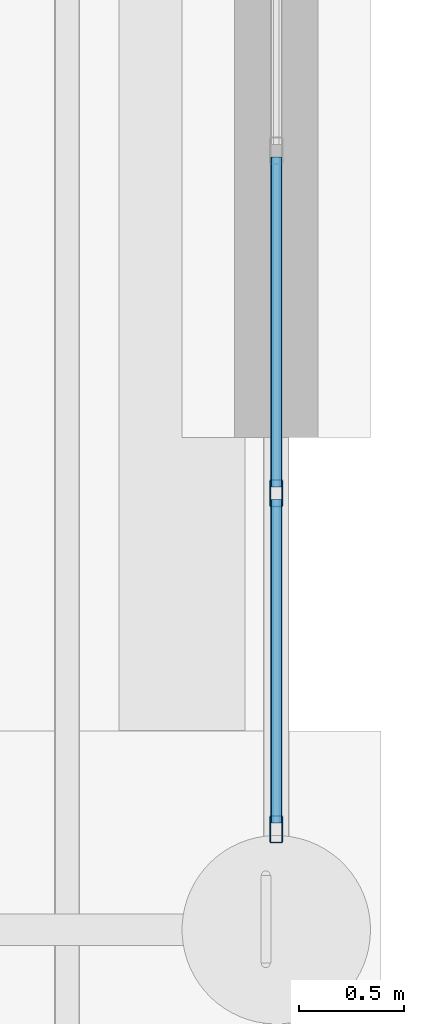
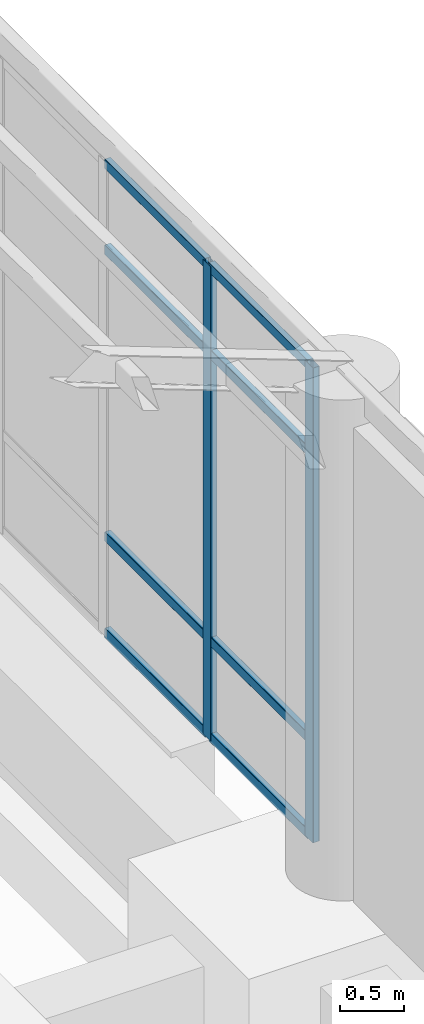
# One storey, part 70 of 111: 10 members, 1 element without a shape of its own.
"""IFC4 building model written with IfcOpenShell, lengths in metres."""

from ifc_helpers import new_model, si_unit, direction, frame, origin, origin_2d, place, context, subcontext, project, spatial, hollow_rectangle, extrude, material, material_profile, profile_set, type_object, element, aggregate, save


model = new_model("IFC4")

# Units and contexts
model_context = context("Model", 3, precision=1e-05, world=origin(), true_north=direction((0.0, 1.0)))
body_context = subcontext(model_context, "Body", "Model", "MODEL_VIEW")
ifc_project = project(units=[si_unit("LENGTHUNIT", "METRE"), si_unit("AREAUNIT", "SQUARE_METRE"), si_unit("VOLUMEUNIT", "CUBIC_METRE"), si_unit("PLANEANGLEUNIT", "RADIAN"), si_unit("MASSUNIT", "GRAM", prefix="KILO")], contexts=[model_context])

# Site, building, storey
site_placement = place(None, origin())
site = spatial("IfcSite", under=ifc_project, at=site_placement, CompositionType="ELEMENT")
building_placement = place(site_placement, origin())
building = spatial("IfcBuilding", under=site, at=building_placement, Name="Canglan Escarpment Cableway Terminal", CompositionType="ELEMENT")
storey_placement = place(building_placement, frame((0.0, 0.0, 4.800048828125)))
storey = spatial("IfcBuildingStorey", under=building, at=storey_placement, Name="L01", CompositionType="ELEMENT", Elevation=4.800048828125)

# Curtain wall, members
ifc_material_1 = material(Name="Anodized bronze aluminium and Low-E double glazing", Category="aluminium")
curtain_wall_type = type_object("IfcCurtainWallType", Name="CW-BAY-8175x4550", PredefinedType="NOTDEFINED", material=ifc_material_1)
curtain_wall_placement = place(storey_placement, origin())
curtain_wall = element("IfcCurtainWall", 1, at=curtain_wall_placement, inside=storey, type_object=curtain_wall_type, Name="Classical bay-between-piers glazed curtain wall CW-41", PredefinedType="NOTDEFINED")
ifc_material_2 = material(Name="Thermally broken anodized aluminium 6063-T6", Category="aluminium")
ifc_material_profile_1 = material_profile(ifc_material_2, hollow_rectangle(XDim=0.06005859375, YDim=0.1298828125, WallThickness=0.0029296875, InnerFilletRadius=0.0029296875, OuterFilletRadius=0.006103515625, at=origin_2d()), Name="ALU-MULL 60x130x3")
ifc_profile_set_1 = profile_set([ifc_material_profile_1], Name="Thermally broken anodized aluminium 6063-T6")
member_type_1 = type_object("IfcMemberType", Name="CWM-01", PredefinedType="MULLION", material=ifc_profile_set_1)
member_1_placement = place(storey_placement, frame((180.0, 115.47998046875, 0.0), z_axis=(0.0, 0.0, 1.0), x_axis=(-1.0, 0.0, 0.0)))
member_1 = element("IfcMember", 2, at=member_1_placement, type_object=member_type_1, Name="CW-41 mullion 1", PredefinedType="MULLION", context=body_context, shape_type="SweptSolid", body=[
    extrude(hollow_rectangle(XDim=0.06005859375, YDim=0.1298828125, WallThickness=0.0029296875, InnerFilletRadius=0.0029296875, OuterFilletRadius=0.006103515625, at=origin_2d()), origin(), (0.0, 0.0, 1.0), 4.550048828125),
])
member_2_placement = place(storey_placement, frame((180.0, 117.0849609375, 0.0), z_axis=(0.0, 0.0, 1.0), x_axis=(-1.0, 0.0, 0.0)))
member_2 = element("IfcMember", 3, at=member_2_placement, type_object=member_type_1, Name="CW-41 mullion 2", PredefinedType="MULLION", context=body_context, shape_type="SweptSolid", body=[
    extrude(hollow_rectangle(XDim=0.06005859375, YDim=0.1298828125, WallThickness=0.0029296875, InnerFilletRadius=0.0029296875, OuterFilletRadius=0.006103515625, at=origin_2d()), origin(), (0.0, 0.0, 1.0), 4.550048828125),
])
ifc_material_profile_2 = material_profile(ifc_material_2, hollow_rectangle(XDim=0.054931640625, YDim=0.094970703125, WallThickness=0.0029296875, InnerFilletRadius=0.0029296875, OuterFilletRadius=0.006103515625, at=origin_2d()), Name="ALU-TRAN 55x95x3")
ifc_profile_set_2 = profile_set([ifc_material_profile_2], Name="Thermally broken anodized aluminium 6063-T6")
member_type_2 = type_object("IfcMemberType", Name="CWT-01", PredefinedType="USERDEFINED", material=ifc_profile_set_2)
member_3_placement = place(storey_placement, frame((180.0, 115.510009765625, 0.02734375), z_axis=(0.0, 1.0, 0.0), x_axis=(-1.0, 0.0, 0.0)))
member_3 = element("IfcMember", 4, at=member_3_placement, type_object=member_type_2, Name="CW-41 transom 1.1", ObjectType="TRANSOM", PredefinedType="USERDEFINED", context=body_context, shape_type="SweptSolid", body=[
    extrude(hollow_rectangle(XDim=0.054931640625, YDim=0.094970703125, WallThickness=0.0029296875, InnerFilletRadius=0.0029296875, OuterFilletRadius=0.006103515625, at=origin_2d()), origin(), (0.0, 0.0, 1.0), 1.544921875),
])
member_4_placement = place(storey_placement, frame((180.0, 115.510009765625, 0.949951171875), z_axis=(0.0, 1.0, 0.0), x_axis=(-1.0, 0.0, 0.0)))
member_4 = element("IfcMember", 5, at=member_4_placement, type_object=member_type_2, Name="CW-41 transom 1.2", ObjectType="TRANSOM", PredefinedType="USERDEFINED", context=body_context, shape_type="SweptSolid", body=[
    extrude(hollow_rectangle(XDim=0.054931640625, YDim=0.094970703125, WallThickness=0.0029296875, InnerFilletRadius=0.0029296875, OuterFilletRadius=0.006103515625, at=origin_2d()), origin(), (0.0, 0.0, 1.0), 1.544921875),
])
member_5_placement = place(storey_placement, frame((180.0, 115.510009765625, 3.699951171875), z_axis=(0.0, 1.0, 0.0), x_axis=(-1.0, 0.0, 0.0)))
member_5 = element("IfcMember", 6, at=member_5_placement, type_object=member_type_2, Name="CW-41 transom 1.3", ObjectType="TRANSOM", PredefinedType="USERDEFINED", context=body_context, shape_type="SweptSolid", body=[
    extrude(hollow_rectangle(XDim=0.054931640625, YDim=0.094970703125, WallThickness=0.0029296875, InnerFilletRadius=0.0029296875, OuterFilletRadius=0.006103515625, at=origin_2d()), origin(), (0.0, 0.0, 1.0), 1.544921875),
])
member_6_placement = place(storey_placement, frame((180.0, 115.510009765625, 4.5224609375), z_axis=(0.0, 1.0, 0.0), x_axis=(-1.0, 0.0, 0.0)))
member_6 = element("IfcMember", 7, at=member_6_placement, type_object=member_type_2, Name="CW-41 transom 1.4", ObjectType="TRANSOM", PredefinedType="USERDEFINED", context=body_context, shape_type="SweptSolid", body=[
    extrude(hollow_rectangle(XDim=0.054931640625, YDim=0.094970703125, WallThickness=0.0029296875, InnerFilletRadius=0.0029296875, OuterFilletRadius=0.006103515625, at=origin_2d()), origin(), (0.0, 0.0, 1.0), 1.544921875),
])
member_7_placement = place(storey_placement, frame((180.0, 117.114990234375, 0.02734375), z_axis=(0.0, 1.0, 0.0), x_axis=(-1.0, 0.0, 0.0)))
member_7 = element("IfcMember", 8, at=member_7_placement, type_object=member_type_2, Name="CW-41 transom 2.1", ObjectType="TRANSOM", PredefinedType="USERDEFINED", context=body_context, shape_type="SweptSolid", body=[
    extrude(hollow_rectangle(XDim=0.054931640625, YDim=0.094970703125, WallThickness=0.0029296875, InnerFilletRadius=0.0029296875, OuterFilletRadius=0.006103515625, at=origin_2d()), origin(), (0.0, 0.0, 1.0), 1.574951171875),
])
member_8_placement = place(storey_placement, frame((180.0, 117.114990234375, 0.949951171875), z_axis=(0.0, 1.0, 0.0), x_axis=(-1.0, 0.0, 0.0)))
member_8 = element("IfcMember", 9, at=member_8_placement, type_object=member_type_2, Name="CW-41 transom 2.2", ObjectType="TRANSOM", PredefinedType="USERDEFINED", context=body_context, shape_type="SweptSolid", body=[
    extrude(hollow_rectangle(XDim=0.054931640625, YDim=0.094970703125, WallThickness=0.0029296875, InnerFilletRadius=0.0029296875, OuterFilletRadius=0.006103515625, at=origin_2d()), origin(), (0.0, 0.0, 1.0), 1.574951171875),
])
member_9_placement = place(storey_placement, frame((180.0, 117.114990234375, 3.699951171875), z_axis=(0.0, 1.0, 0.0), x_axis=(-1.0, 0.0, 0.0)))
member_9 = element("IfcMember", 10, at=member_9_placement, type_object=member_type_2, Name="CW-41 transom 2.3", ObjectType="TRANSOM", PredefinedType="USERDEFINED", context=body_context, shape_type="SweptSolid", body=[
    extrude(hollow_rectangle(XDim=0.054931640625, YDim=0.094970703125, WallThickness=0.0029296875, InnerFilletRadius=0.0029296875, OuterFilletRadius=0.006103515625, at=origin_2d()), origin(), (0.0, 0.0, 1.0), 1.574951171875),
])
member_10_placement = place(storey_placement, frame((180.0, 117.114990234375, 4.5224609375), z_axis=(0.0, 1.0, 0.0), x_axis=(-1.0, 0.0, 0.0)))
member_10 = element("IfcMember", 11, at=member_10_placement, type_object=member_type_2, Name="CW-41 transom 2.4", ObjectType="TRANSOM", PredefinedType="USERDEFINED", context=body_context, shape_type="SweptSolid", body=[
    extrude(hollow_rectangle(XDim=0.054931640625, YDim=0.094970703125, WallThickness=0.0029296875, InnerFilletRadius=0.0029296875, OuterFilletRadius=0.006103515625, at=origin_2d()), origin(), (0.0, 0.0, 1.0), 1.574951171875),
])
aggregate(curtain_wall, [member_1, member_2, member_3, member_4, member_5, member_6, member_7, member_8, member_9, member_10])

save(model, "model.ifc")
